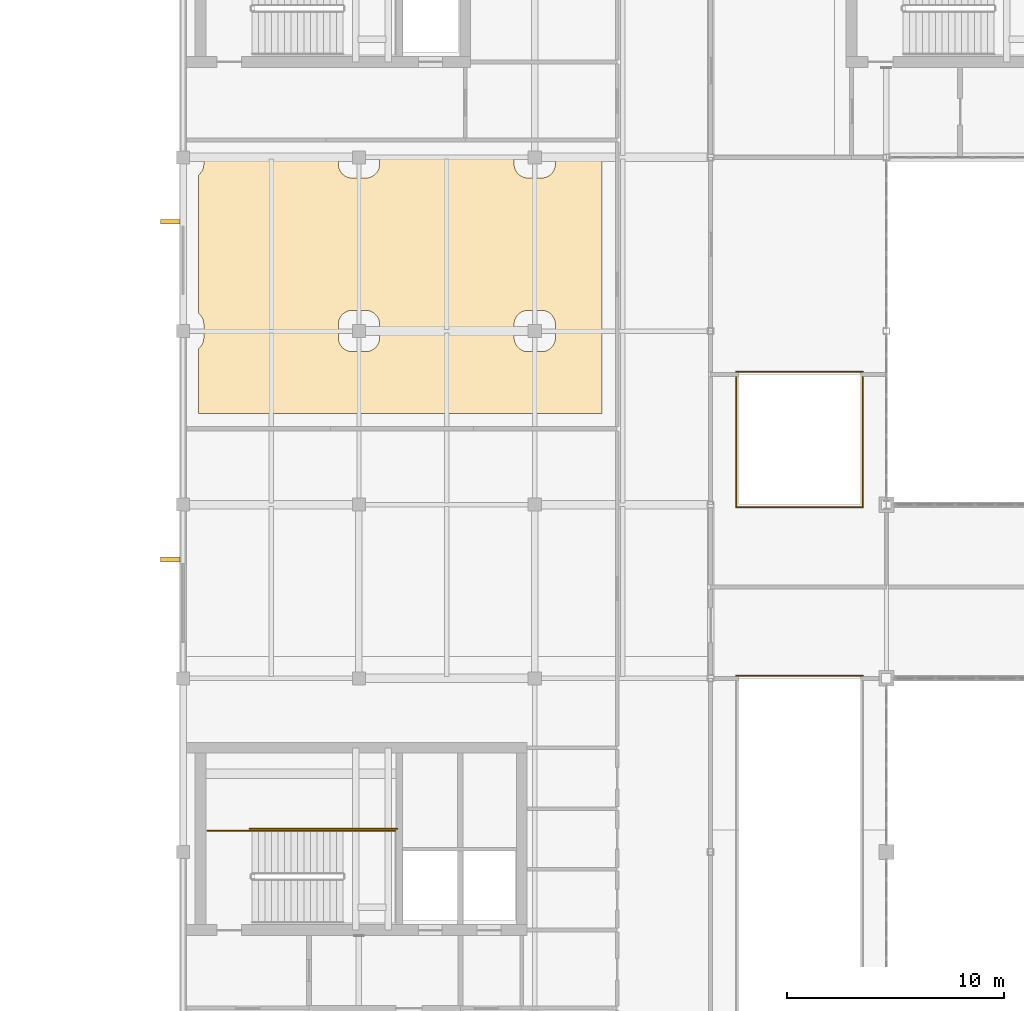
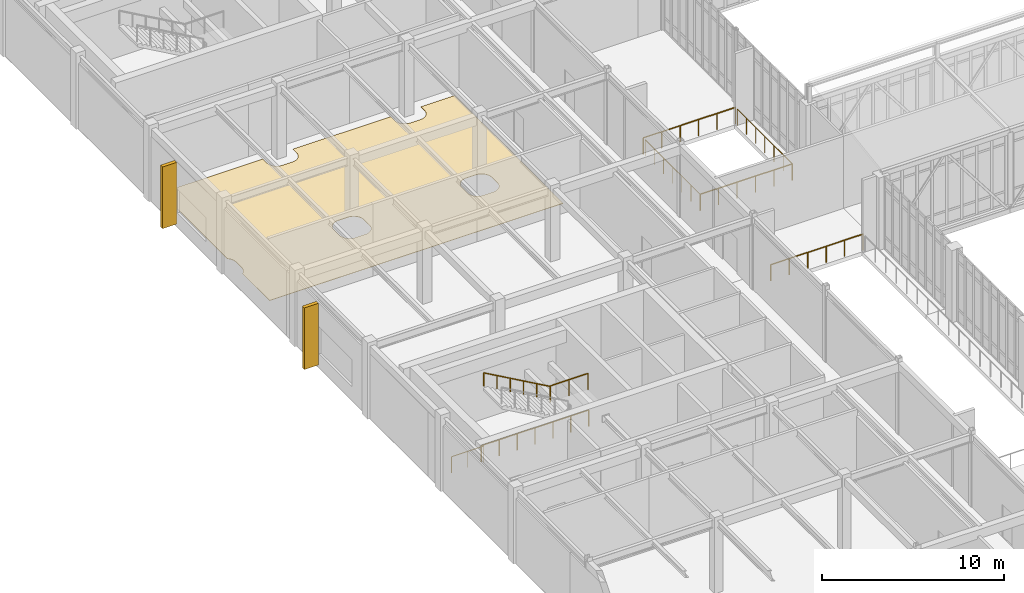
# One storey, part 105 of 107: 9 railings, 2 shading devices, 1 covering.
"""IFC4 building model written with IfcOpenShell, lengths in metres."""

from ifc_helpers import new_model, si_unit, direction, frame, origin, origin_2d, place, context, subcontext, project, spatial, polyline, rectangle, circle, outline, extrude, material, layer, layer_set, material_profile, profile_set, type_object, element, save


model = new_model("IFC4")

# Units and contexts
model_context = context("Model", 3, precision=1e-05, world=origin(), true_north=direction((0.0, 1.0)))
body_context = subcontext(model_context, "Body", "Model", "MODEL_VIEW")
ifc_project = project(units=[si_unit("LENGTHUNIT", "METRE"), si_unit("AREAUNIT", "SQUARE_METRE"), si_unit("VOLUMEUNIT", "CUBIC_METRE"), si_unit("PLANEANGLEUNIT", "RADIAN"), si_unit("MASSUNIT", "GRAM", prefix="KILO")], contexts=[model_context])

# Site, building, storey
site_placement = place(None, origin())
site = spatial("IfcSite", under=ifc_project, at=site_placement, CompositionType="ELEMENT")
building_placement = place(site_placement, origin())
building = spatial("IfcBuilding", under=site, at=building_placement, Name="Tarnveldt Square Police Headquarters", CompositionType="ELEMENT")
storey_placement = place(building_placement, frame((0.0, 0.0, 14.699951171875)))
storey = spatial("IfcBuildingStorey", under=building, at=storey_placement, Name="L03", CompositionType="ELEMENT", Elevation=14.699951171875)

# Covering
ifc_material_1 = material(Name="Polished cementitious terrazzo flooring", Category="concrete")
ifc_layer = layer(ifc_material_1, 0.02490234375)
ifc_layer_set = layer_set([ifc_layer], Name="Polished cementitious terrazzo flooring")
covering_type = type_object("IfcCoveringType", Name="COV-FLR-25", PredefinedType="FLOORING", material=ifc_layer_set)
covering_placement = place(storey_placement, origin())
element("IfcCovering", 1, at=covering_placement, inside=storey, type_object=covering_type, Name="Joint Task Force Briefing Room Terrazzo Finish Flooring", PredefinedType="FLOORING", context=body_context, shape_type="SweptSolid", body=[
    extrude(outline(polyline([(17.152099609375, 96.10009765625), (23.347900390625, 96.10009765625), (23.347900390625, 95.697998046875), (23.35107421875, 95.63427734375), (23.360595703125, 95.5712890625), (23.3759765625, 95.50927734375), (23.3974609375, 95.44921875), (23.4248046875, 95.3916015625), (23.45751953125, 95.3369140625), (23.49560546875, 95.28564453125), (23.538330078125, 95.23828125), (23.585693359375, 95.195556640625), (23.636962890625, 95.157470703125), (23.691650390625, 95.124755859375), (23.749267578125, 95.097412109375), (23.809326171875, 95.075927734375), (23.87109375, 95.060546875), (23.934326171875, 95.051025390625), (23.998046875, 95.048095703125), (24.60205078125, 95.048095703125), (24.665771484375, 95.051025390625), (24.728759765625, 95.060546875), (24.790771484375, 95.075927734375), (24.850830078125, 95.097412109375), (24.908447265625, 95.124755859375), (24.963134765625, 95.157470703125), (25.014404296875, 95.195556640625), (25.0615234375, 95.23828125), (25.1044921875, 95.28564453125), (25.142333984375, 95.3369140625), (25.17529296875, 95.3916015625), (25.20263671875, 95.44921875), (25.22412109375, 95.50927734375), (25.239501953125, 95.5712890625), (25.248779296875, 95.63427734375), (25.251953125, 95.697998046875), (25.251953125, 96.10009765625), (31.447998046875, 96.10009765625), (31.447998046875, 95.697998046875), (31.451171875, 95.63427734375), (31.46044921875, 95.5712890625), (31.47607421875, 95.50927734375), (31.49755859375, 95.44921875), (31.524658203125, 95.3916015625), (31.5576171875, 95.3369140625), (31.595458984375, 95.28564453125), (31.638427734375, 95.23828125), (31.685546875, 95.195556640625), (31.73681640625, 95.157470703125), (31.79150390625, 95.124755859375), (31.849365234375, 95.097412109375), (31.909423828125, 95.075927734375), (31.97119140625, 95.060546875), (32.0341796875, 95.051025390625), (32.097900390625, 95.048095703125), (32.701904296875, 95.048095703125), (32.765625, 95.051025390625), (32.828857421875, 95.060546875), (32.890625, 95.075927734375), (32.95068359375, 95.097412109375), (33.00830078125, 95.124755859375), (33.063232421875, 95.157470703125), (33.1142578125, 95.195556640625), (33.16162109375, 95.23828125), (33.204345703125, 95.28564453125), (33.242431640625, 95.3369140625), (33.275146484375, 95.3916015625), (33.302490234375, 95.44921875), (33.323974609375, 95.50927734375), (33.339599609375, 95.5712890625), (33.348876953125, 95.63427734375), (33.35205078125, 95.697998046875), (33.35205078125, 96.10009765625), (35.5, 96.10009765625), (35.5, 84.199951171875), (16.89990234375, 84.199951171875), (16.89990234375, 87.184814453125), (16.914306640625, 87.195556640625), (16.961669921875, 87.23828125), (17.00439453125, 87.28564453125), (17.04248046875, 87.3369140625), (17.0751953125, 87.3916015625), (17.1025390625, 87.44921875), (17.1240234375, 87.50927734375), (17.139404296875, 87.5712890625), (17.14892578125, 87.63427734375), (17.152099609375, 87.697998046875), (17.152099609375, 88.302001953125), (17.14892578125, 88.36572265625), (17.139404296875, 88.4287109375), (17.1240234375, 88.49072265625), (17.1025390625, 88.55078125), (17.0751953125, 88.6083984375), (17.04248046875, 88.6630859375), (17.00439453125, 88.71435546875), (16.961669921875, 88.76171875), (16.914306640625, 88.804443359375), (16.89990234375, 88.815185546875), (16.89990234375, 95.184814453125), (16.914306640625, 95.195556640625), (16.961669921875, 95.23828125), (17.00439453125, 95.28564453125), (17.04248046875, 95.3369140625), (17.0751953125, 95.3916015625), (17.1025390625, 95.44921875), (17.1240234375, 95.50927734375), (17.139404296875, 95.5712890625), (17.14892578125, 95.63427734375), (17.152099609375, 95.697998046875), (17.152099609375, 96.10009765625)]), holes=[polyline([(31.447998046875, 87.697998046875), (31.451171875, 87.63427734375), (31.46044921875, 87.5712890625), (31.47607421875, 87.50927734375), (31.49755859375, 87.44921875), (31.524658203125, 87.3916015625), (31.5576171875, 87.3369140625), (31.595458984375, 87.28564453125), (31.638427734375, 87.23828125), (31.685546875, 87.195556640625), (31.73681640625, 87.157470703125), (31.79150390625, 87.124755859375), (31.849365234375, 87.097412109375), (31.909423828125, 87.075927734375), (31.97119140625, 87.060546875), (32.0341796875, 87.051025390625), (32.097900390625, 87.048095703125), (32.701904296875, 87.048095703125), (32.765625, 87.051025390625), (32.828857421875, 87.060546875), (32.890625, 87.075927734375), (32.95068359375, 87.097412109375), (33.00830078125, 87.124755859375), (33.063232421875, 87.157470703125), (33.1142578125, 87.195556640625), (33.16162109375, 87.23828125), (33.204345703125, 87.28564453125), (33.242431640625, 87.3369140625), (33.275146484375, 87.3916015625), (33.302490234375, 87.44921875), (33.323974609375, 87.50927734375), (33.339599609375, 87.5712890625), (33.348876953125, 87.63427734375), (33.35205078125, 87.697998046875), (33.35205078125, 88.302001953125), (33.348876953125, 88.36572265625), (33.339599609375, 88.4287109375), (33.323974609375, 88.49072265625), (33.302490234375, 88.55078125), (33.275146484375, 88.6083984375), (33.242431640625, 88.6630859375), (33.204345703125, 88.71435546875), (33.16162109375, 88.76171875), (33.1142578125, 88.804443359375), (33.063232421875, 88.842529296875), (33.00830078125, 88.875244140625), (32.95068359375, 88.902587890625), (32.890625, 88.924072265625), (32.828857421875, 88.939453125), (32.765625, 88.948974609375), (32.701904296875, 88.951904296875), (32.097900390625, 88.951904296875), (32.0341796875, 88.948974609375), (31.97119140625, 88.939453125), (31.909423828125, 88.924072265625), (31.849365234375, 88.902587890625), (31.79150390625, 88.875244140625), (31.73681640625, 88.842529296875), (31.685546875, 88.804443359375), (31.638427734375, 88.76171875), (31.595458984375, 88.71435546875), (31.5576171875, 88.6630859375), (31.524658203125, 88.6083984375), (31.49755859375, 88.55078125), (31.47607421875, 88.49072265625), (31.46044921875, 88.4287109375), (31.451171875, 88.36572265625), (31.447998046875, 88.302001953125), (31.447998046875, 87.697998046875)]), polyline([(23.347900390625, 87.697998046875), (23.35107421875, 87.63427734375), (23.360595703125, 87.5712890625), (23.3759765625, 87.50927734375), (23.3974609375, 87.44921875), (23.4248046875, 87.3916015625), (23.45751953125, 87.3369140625), (23.49560546875, 87.28564453125), (23.538330078125, 87.23828125), (23.585693359375, 87.195556640625), (23.636962890625, 87.157470703125), (23.691650390625, 87.124755859375), (23.749267578125, 87.097412109375), (23.809326171875, 87.075927734375), (23.87109375, 87.060546875), (23.934326171875, 87.051025390625), (23.998046875, 87.048095703125), (24.60205078125, 87.048095703125), (24.665771484375, 87.051025390625), (24.728759765625, 87.060546875), (24.790771484375, 87.075927734375), (24.850830078125, 87.097412109375), (24.908447265625, 87.124755859375), (24.963134765625, 87.157470703125), (25.014404296875, 87.195556640625), (25.0615234375, 87.23828125), (25.1044921875, 87.28564453125), (25.142333984375, 87.3369140625), (25.17529296875, 87.3916015625), (25.20263671875, 87.44921875), (25.22412109375, 87.50927734375), (25.239501953125, 87.5712890625), (25.248779296875, 87.63427734375), (25.251953125, 87.697998046875), (25.251953125, 88.302001953125), (25.248779296875, 88.36572265625), (25.239501953125, 88.4287109375), (25.22412109375, 88.49072265625), (25.20263671875, 88.55078125), (25.17529296875, 88.6083984375), (25.142333984375, 88.6630859375), (25.1044921875, 88.71435546875), (25.0615234375, 88.76171875), (25.014404296875, 88.804443359375), (24.963134765625, 88.842529296875), (24.908447265625, 88.875244140625), (24.850830078125, 88.902587890625), (24.790771484375, 88.924072265625), (24.728759765625, 88.939453125), (24.665771484375, 88.948974609375), (24.60205078125, 88.951904296875), (23.998046875, 88.951904296875), (23.934326171875, 88.948974609375), (23.87109375, 88.939453125), (23.809326171875, 88.924072265625), (23.749267578125, 88.902587890625), (23.691650390625, 88.875244140625), (23.636962890625, 88.842529296875), (23.585693359375, 88.804443359375), (23.538330078125, 88.76171875), (23.49560546875, 88.71435546875), (23.45751953125, 88.6630859375), (23.4248046875, 88.6083984375), (23.3974609375, 88.55078125), (23.3759765625, 88.49072265625), (23.360595703125, 88.4287109375), (23.35107421875, 88.36572265625), (23.347900390625, 88.302001953125), (23.347900390625, 87.697998046875)])]), origin(), (0.0, 0.0, 1.0), 0.025146484375),
])

# Railings
ifc_material_2 = material(Name="Steel 350W", Category="steel")
railing_type_1 = type_object("IfcRailingType", Name="RL-GR-1100", PredefinedType="GUARDRAIL", material=ifc_material_2)
railing_1_placement = place(storey_placement, frame((23.570068359375, 64.969970703125, 2.550048828125)))
element("IfcRailing", 2, at=railing_1_placement, inside=storey, type_object=railing_type_1, Name="L03 ST1 stair guard 3", PredefinedType="GUARDRAIL", context=body_context, shape_type="SweptSolid", body=[
    extrude(circle(Radius=0.02392578125, at=origin_2d()), frame((0.0, 0.0, 1.076171875), z_axis=(1.0, 0.0, 0.0), x_axis=(0.0, 1.0, 0.0)), (0.0, 0.0, 1.0), 2.39990234375),
    extrude(circle(Radius=0.02099609375, at=origin_2d()), origin(), (0.0, 0.0, 1.0), 1.052001953125),
    extrude(circle(Radius=0.02099609375, at=origin_2d()), frame((1.199951171875, 0.0, 0.0)), (0.0, 0.0, 1.0), 1.052001953125),
    extrude(circle(Radius=0.02099609375, at=origin_2d()), frame((2.39990234375, 0.0, 0.0)), (0.0, 0.0, 1.0), 1.052001953125),
])
railing_2_placement = place(storey_placement, frame((17.320068359375, 64.969970703125, 0.0)))
element("IfcRailing", 3, at=railing_2_placement, inside=storey, type_object=railing_type_1, Name="L03 ST1 stair guard 6", PredefinedType="GUARDRAIL", context=body_context, shape_type="SweptSolid", body=[
    extrude(circle(Radius=0.02392578125, at=origin_2d()), frame((0.0, 0.0, 1.076171875), z_axis=(1.0, 0.0, 0.0), x_axis=(0.0, 1.0, 0.0)), (0.0, 0.0, 1.0), 2.050048828125),
    extrude(circle(Radius=0.02099609375, at=origin_2d()), origin(), (0.0, 0.0, 1.0), 1.052001953125),
    extrude(circle(Radius=0.02099609375, at=origin_2d()), frame((1.02490234375, 0.0, 0.0)), (0.0, 0.0, 1.0), 1.052001953125),
    extrude(circle(Radius=0.02099609375, at=origin_2d()), frame((2.050048828125, 0.0, 0.0)), (0.0, 0.0, 1.0), 1.052001953125),
])
railing_3_placement = place(storey_placement, frame((19.27001953125, 65.070068359375, 0.0)))
element("IfcRailing", 4, at=railing_3_placement, inside=storey, type_object=railing_type_1, Name="L03 ST1 stair guard 7", PredefinedType="GUARDRAIL", context=body_context, shape_type="SweptSolid", body=[
    extrude(circle(Radius=0.02392578125, at=origin_2d()), frame((0.0, 0.0, 1.076171875), z_axis=(1.0, 0.0, 0.0), x_axis=(0.0, 1.0, 0.0)), (0.0, 0.0, 1.0), 6.800048828125),
    extrude(circle(Radius=0.02099609375, at=origin_2d()), origin(), (0.0, 0.0, 1.0), 1.052001953125),
    extrude(circle(Radius=0.02099609375, at=origin_2d()), frame((1.13330078125, 0.0, 0.0)), (0.0, 0.0, 1.0), 1.052001953125),
    extrude(circle(Radius=0.02099609375, at=origin_2d()), frame((2.2666015625, 0.0, 0.0)), (0.0, 0.0, 1.0), 1.052001953125),
    extrude(circle(Radius=0.02099609375, at=origin_2d()), frame((3.39990234375, 0.0, 0.0)), (0.0, 0.0, 1.0), 1.052001953125),
    extrude(circle(Radius=0.02099609375, at=origin_2d()), frame((4.533447265625, 0.0, 0.0)), (0.0, 0.0, 1.0), 1.052001953125),
    extrude(circle(Radius=0.02099609375, at=origin_2d()), frame((5.666748046875, 0.0, 0.0)), (0.0, 0.0, 1.0), 1.052001953125),
    extrude(circle(Radius=0.02099609375, at=origin_2d()), frame((6.800048828125, 0.0, 0.0)), (0.0, 0.0, 1.0), 1.052001953125),
])
railing_4_placement = place(storey_placement, frame((47.52001953125, 72.1201171875, 0.0)))
element("IfcRailing", 5, at=railing_4_placement, inside=storey, type_object=railing_type_1, Name="L03 WG-ATRIUM-3S Atrium Overlook Guardrail N1", PredefinedType="GUARDRAIL", context=body_context, shape_type="SweptSolid", body=[
    extrude(circle(Radius=0.02392578125, at=origin_2d()), frame((0.0, 0.0, 1.076171875), z_axis=(-1.0, 0.0, 0.0), x_axis=(0.0, -1.0, 0.0)), (0.0, 0.0, 1.0), 5.840087890625),
    extrude(circle(Radius=0.02099609375, at=origin_2d()), origin(), (0.0, 0.0, 1.0), 1.052001953125),
    extrude(circle(Radius=0.02099609375, at=origin_2d()), frame((-1.16796875, 0.0, 0.0)), (0.0, 0.0, 1.0), 1.052001953125),
    extrude(circle(Radius=0.02099609375, at=origin_2d()), frame((-2.3359375, 0.0, 0.0)), (0.0, 0.0, 1.0), 1.052001953125),
    extrude(circle(Radius=0.02099609375, at=origin_2d()), frame((-3.504150390625, 0.0, 0.0)), (0.0, 0.0, 1.0), 1.052001953125),
    extrude(circle(Radius=0.02099609375, at=origin_2d()), frame((-4.672119140625, 0.0, 0.0)), (0.0, 0.0, 1.0), 1.052001953125),
    extrude(circle(Radius=0.02099609375, at=origin_2d()), frame((-5.840087890625, 0.0, 0.0)), (0.0, 0.0, 1.0), 1.052001953125),
])
railing_5_placement = place(storey_placement, frame((41.679931640625, 79.8798828125, 0.0)))
element("IfcRailing", 6, at=railing_5_placement, inside=storey, type_object=railing_type_1, Name="L03 WG-ATRIUM-3N Atrium Overlook Guardrail S1", PredefinedType="GUARDRAIL", context=body_context, shape_type="SweptSolid", body=[
    extrude(circle(Radius=0.02392578125, at=origin_2d()), frame((0.0, 0.0, 1.076171875), z_axis=(1.0, 0.0, 0.0), x_axis=(0.0, 1.0, 0.0)), (0.0, 0.0, 1.0), 5.840087890625),
    extrude(circle(Radius=0.02099609375, at=origin_2d()), origin(), (0.0, 0.0, 1.0), 1.052001953125),
    extrude(circle(Radius=0.02099609375, at=origin_2d()), frame((1.16796875, 0.0, 0.0)), (0.0, 0.0, 1.0), 1.052001953125),
    extrude(circle(Radius=0.02099609375, at=origin_2d()), frame((2.3359375, 0.0, 0.0)), (0.0, 0.0, 1.0), 1.052001953125),
    extrude(circle(Radius=0.02099609375, at=origin_2d()), frame((3.504150390625, 0.0, 0.0)), (0.0, 0.0, 1.0), 1.052001953125),
    extrude(circle(Radius=0.02099609375, at=origin_2d()), frame((4.672119140625, 0.0, 0.0)), (0.0, 0.0, 1.0), 1.052001953125),
    extrude(circle(Radius=0.02099609375, at=origin_2d()), frame((5.840087890625, 0.0, 0.0)), (0.0, 0.0, 1.0), 1.052001953125),
])
railing_6_placement = place(storey_placement, frame((47.52001953125, 79.8798828125, 0.0)))
element("IfcRailing", 7, at=railing_6_placement, inside=storey, type_object=railing_type_1, Name="L03 WG-ATRIUM-3N Atrium Overlook Guardrail E1", PredefinedType="GUARDRAIL", context=body_context, shape_type="SweptSolid", body=[
    extrude(circle(Radius=0.02392578125, at=origin_2d()), frame((0.0, 0.0, 1.076171875), z_axis=(0.0, 1.0, 0.0), x_axis=(-1.0, 0.0, 0.0)), (0.0, 0.0, 1.0), 6.030029296875),
    extrude(circle(Radius=0.02099609375, at=origin_2d()), origin(), (0.0, 0.0, 1.0), 1.052001953125),
    extrude(circle(Radius=0.02099609375, at=origin_2d()), frame((0.0, 1.0048828125, 0.0)), (0.0, 0.0, 1.0), 1.052001953125),
    extrude(circle(Radius=0.02099609375, at=origin_2d()), frame((0.0, 2.010009765625, 0.0)), (0.0, 0.0, 1.0), 1.052001953125),
    extrude(circle(Radius=0.02099609375, at=origin_2d()), frame((0.0, 3.01513671875, 0.0)), (0.0, 0.0, 1.0), 1.052001953125),
    extrude(circle(Radius=0.02099609375, at=origin_2d()), frame((0.0, 4.02001953125, 0.0)), (0.0, 0.0, 1.0), 1.052001953125),
    extrude(circle(Radius=0.02099609375, at=origin_2d()), frame((0.0, 5.02490234375, 0.0)), (0.0, 0.0, 1.0), 1.052001953125),
    extrude(circle(Radius=0.02099609375, at=origin_2d()), frame((0.0, 6.030029296875, 0.0)), (0.0, 0.0, 1.0), 1.052001953125),
])
railing_7_placement = place(storey_placement, frame((47.52001953125, 86.1201171875, 0.0)))
element("IfcRailing", 8, at=railing_7_placement, inside=storey, type_object=railing_type_1, Name="L03 WG-ATRIUM-3N Atrium Overlook Guardrail N1", PredefinedType="GUARDRAIL", context=body_context, shape_type="SweptSolid", body=[
    extrude(circle(Radius=0.02392578125, at=origin_2d()), frame((0.0, 0.0, 1.076171875), z_axis=(-1.0, 0.0, 0.0), x_axis=(0.0, -1.0, 0.0)), (0.0, 0.0, 1.0), 5.840087890625),
    extrude(circle(Radius=0.02099609375, at=origin_2d()), origin(), (0.0, 0.0, 1.0), 1.052001953125),
    extrude(circle(Radius=0.02099609375, at=origin_2d()), frame((-1.16796875, 0.0, 0.0)), (0.0, 0.0, 1.0), 1.052001953125),
    extrude(circle(Radius=0.02099609375, at=origin_2d()), frame((-2.3359375, 0.0, 0.0)), (0.0, 0.0, 1.0), 1.052001953125),
    extrude(circle(Radius=0.02099609375, at=origin_2d()), frame((-3.504150390625, 0.0, 0.0)), (0.0, 0.0, 1.0), 1.052001953125),
    extrude(circle(Radius=0.02099609375, at=origin_2d()), frame((-4.672119140625, 0.0, 0.0)), (0.0, 0.0, 1.0), 1.052001953125),
    extrude(circle(Radius=0.02099609375, at=origin_2d()), frame((-5.840087890625, 0.0, 0.0)), (0.0, 0.0, 1.0), 1.052001953125),
])
railing_8_placement = place(storey_placement, frame((41.679931640625, 85.909912109375, 0.0)))
element("IfcRailing", 9, at=railing_8_placement, inside=storey, type_object=railing_type_1, Name="L03 WG-ATRIUM-3N Atrium Overlook Guardrail W2", PredefinedType="GUARDRAIL", context=body_context, shape_type="SweptSolid", body=[
    extrude(circle(Radius=0.02392578125, at=origin_2d()), frame((0.0, 0.0, 1.076171875), z_axis=(0.0, -1.0, 0.0), x_axis=(1.0, 0.0, 0.0)), (0.0, 0.0, 1.0), 6.030029296875),
    extrude(circle(Radius=0.02099609375, at=origin_2d()), origin(), (0.0, 0.0, 1.0), 1.052001953125),
    extrude(circle(Radius=0.02099609375, at=origin_2d()), frame((0.0, -1.0048828125, 0.0)), (0.0, 0.0, 1.0), 1.052001953125),
    extrude(circle(Radius=0.02099609375, at=origin_2d()), frame((0.0, -2.010009765625, 0.0)), (0.0, 0.0, 1.0), 1.052001953125),
    extrude(circle(Radius=0.02099609375, at=origin_2d()), frame((0.0, -3.01513671875, 0.0)), (0.0, 0.0, 1.0), 1.052001953125),
    extrude(circle(Radius=0.02099609375, at=origin_2d()), frame((0.0, -4.02001953125, 0.0)), (0.0, 0.0, 1.0), 1.052001953125),
    extrude(circle(Radius=0.02099609375, at=origin_2d()), frame((0.0, -5.02490234375, 0.0)), (0.0, 0.0, 1.0), 1.052001953125),
    extrude(circle(Radius=0.02099609375, at=origin_2d()), frame((0.0, -6.030029296875, 0.0)), (0.0, 0.0, 1.0), 1.052001953125),
])
railing_type_2 = type_object("IfcRailingType", Name="RL-HR-900", PredefinedType="HANDRAIL", material=ifc_material_2)
railing_9_placement = place(storey_placement, frame((23.570068359375, 64.969970703125, 2.719970703125)))
element("IfcRailing", 10, at=railing_9_placement, inside=storey, type_object=railing_type_2, Name="L03 ST1 stair handrail 2", PredefinedType="HANDRAIL", context=body_context, shape_type="SweptSolid", body=[
    extrude(circle(Radius=0.02392578125, at=origin_2d()), frame((0.0, 0.0, 0.8759765625), z_axis=(-0.870008446991, 0.0, 0.493036816236), x_axis=(0.0, -1.0, 0.0)), (0.0, 0.0, 1.0), 4.827392578125),
    extrude(circle(Radius=0.02099609375, at=origin_2d()), origin(), (0.0, 0.0, 1.0), 0.851806640625),
    extrude(circle(Radius=0.02099609375, at=origin_2d()), frame((-0.840087890625, 0.0, 0.47607421875)), (0.0, 0.0, 1.0), 0.851806640625),
    extrude(circle(Radius=0.02099609375, at=origin_2d()), frame((-1.679931640625, 0.0, 0.9521484375)), (0.0, 0.0, 1.0), 0.851806640625),
    extrude(circle(Radius=0.02099609375, at=origin_2d()), frame((-2.52001953125, 0.0, 1.427978515625)), (0.0, 0.0, 1.0), 0.851806640625),
    extrude(circle(Radius=0.02099609375, at=origin_2d()), frame((-3.35986328125, 0.0, 1.904052734375)), (0.0, 0.0, 1.0), 0.851806640625),
    extrude(circle(Radius=0.02099609375, at=origin_2d()), frame((-4.199951171875, 0.0, 2.380126953125)), (0.0, 0.0, 1.0), 0.851806640625),
])

# Shading devices
ifc_material_3 = material(Name="Precast concrete 35 MPa", Category="concrete")
ifc_material_profile = material_profile(ifc_material_3, rectangle(XDim=0.219970703125, YDim=0.89990234375, at=origin_2d()), Name="PC-FIN220x900")
ifc_profile_set = profile_set([ifc_material_profile], Name="Precast concrete 35 MPa")
shading_device_type = type_object("IfcShadingDeviceType", Name="SHD-FIN-900", PredefinedType="USERDEFINED", material=ifc_profile_set)
for number, where, z_axis, x_axis, name in (
    (11, (15.610107421875, 93.035888671875, 0.150146484375), (0.0, 0.0, 1.0), (0.0, -1.0, 0.0), "L03 Precast Deep-Reveal Brutalist Fin 042"),
    (12, (15.610107421875, 77.471923828125, 0.150146484375), (0.0, 0.0, 1.0), (0.0, -1.0, 0.0), "L03 Precast Deep-Reveal Brutalist Fin 043"),
):
    element("IfcShadingDevice", number, at=place(storey_placement, frame(where, z_axis=z_axis, x_axis=x_axis)), inside=storey, type_object=shading_device_type, Name=name, ObjectType="SOLAR SHADING FIN", PredefinedType="USERDEFINED", context=body_context, shape_type="SweptSolid", body=[
        extrude(rectangle(XDim=0.219970703125, YDim=0.89990234375, at=origin_2d()), origin(), (0.0, 0.0, 1.0), 4.1318359375),
    ])

save(model, "model.ifc")
